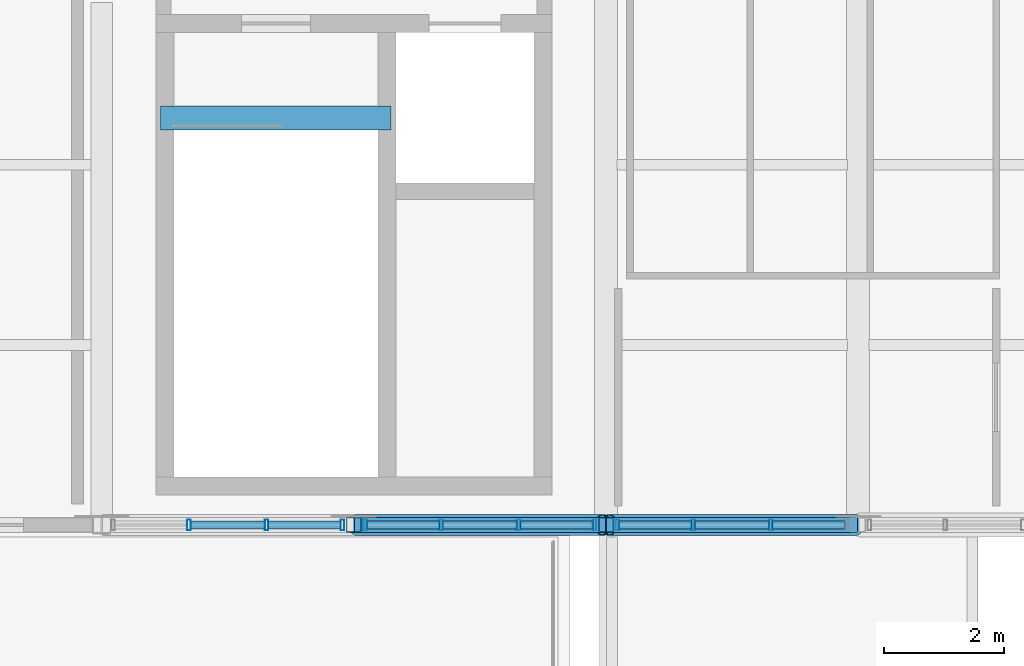
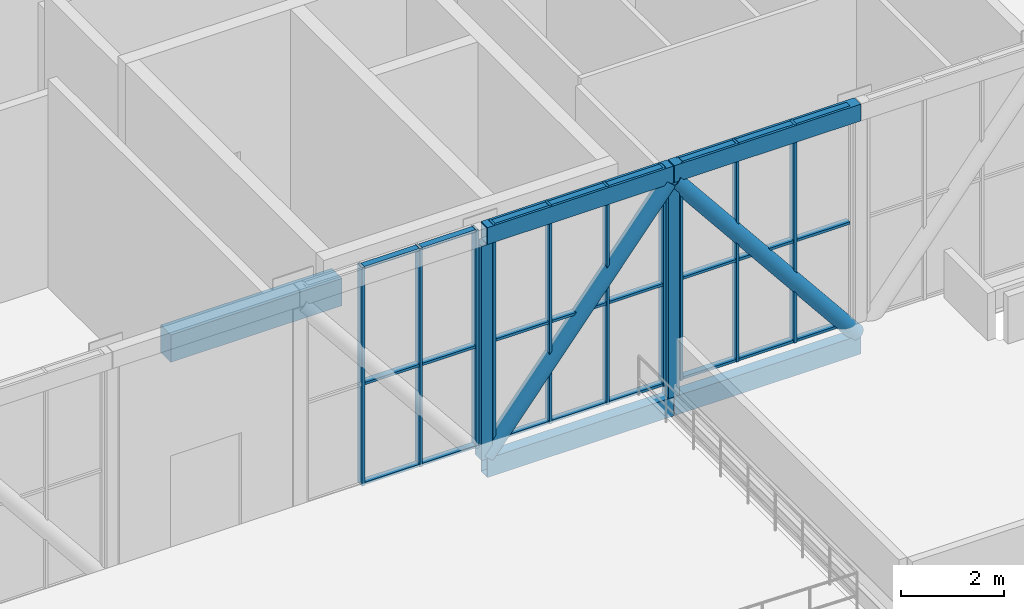
# One storey, part 29 of 58: 42 members, 1 beam, 3 elements without a shape of their own.
"""IFC4 building model written with IfcOpenShell, lengths in metres."""

from ifc_helpers import new_model, si_unit, direction, frame, origin, origin_2d, place, context, subcontext, project, spatial, rectangle, hollow_rectangle, hollow_circle, extrude, material, material_profile, profile_set, type_object, element, aggregate, save


model = new_model("IFC4")

# Units and contexts
model_context = context("Model", 3, precision=1e-05, world=origin(), true_north=direction((0.0, 1.0)))
body_context = subcontext(model_context, "Body", "Model", "MODEL_VIEW")
ifc_project = project(units=[si_unit("LENGTHUNIT", "METRE"), si_unit("AREAUNIT", "SQUARE_METRE"), si_unit("VOLUMEUNIT", "CUBIC_METRE"), si_unit("PLANEANGLEUNIT", "RADIAN"), si_unit("MASSUNIT", "GRAM", prefix="KILO")], contexts=[model_context])

# Site, building, storey
site_placement = place(None, origin())
site = spatial("IfcSite", under=ifc_project, at=site_placement, CompositionType="ELEMENT")
building_placement = place(site_placement, origin())
building = spatial("IfcBuilding", under=site, at=building_placement, Name="Khurvash Pelagic Aquarium", CompositionType="ELEMENT")
storey_placement = place(building_placement, frame((0.0, 0.0, 24.60009765625)))
storey = spatial("IfcBuildingStorey", under=building, at=storey_placement, Name="L05", CompositionType="ELEMENT", Elevation=24.60009765625)

# Beam
ifc_material_1 = material(Name="Concrete C35/45", Category="concrete")
ifc_material_profile_1 = material_profile(ifc_material_1, rectangle(XDim=0.39990234375, YDim=0.64990234375, at=origin_2d()), Name="RC400X650")
ifc_profile_set_1 = profile_set([ifc_material_profile_1], Name="Concrete C35/45")
beam_type = type_object("IfcBeamType", Name="BM-05", PredefinedType="BEAM", material=ifc_profile_set_1)
beam_placement = place(storey_placement, frame((93.3798828125, 18.429931640625, -0.625), z_axis=(1.0, 0.0, 0.0), x_axis=(0.0, 1.0, 0.0)))
element("IfcBeam", 1, at=beam_placement, inside=storey, type_object=beam_type, Name="L05 Stair ST-03 Header Trimmer Beam BM-05", PredefinedType="BEAM", context=body_context, shape_type="SweptSolid", body=[
    extrude(rectangle(XDim=0.39990234375, YDim=0.64990234375, at=origin_2d()), origin(), (0.0, 0.0, 1.0), 3.840087890625),
])

# Curtain wall, members
ifc_material_2 = material(Name="Anodised aluminium and low-E laminated glass", Category="aluminium")
curtain_wall_type = type_object("IfcCurtainWallType", Name="CW-01", PredefinedType="USERDEFINED", material=ifc_material_2)
curtain_wall_1_placement = place(storey_placement, origin())
curtain_wall_1 = element("IfcCurtainWall", 2, at=curtain_wall_1_placement, inside=storey, type_object=curtain_wall_type, Name="L05 South Sky-Bar Unitised Curtain Wall CW-01 P20", ObjectType="UNITISED CURTAIN WALL", PredefinedType="USERDEFINED")
ifc_material_3 = material(Name="Extruded aluminium AW-6063-T6", Category="aluminium")
ifc_material_profile_2 = material_profile(ifc_material_3, hollow_rectangle(XDim=0.06005859375, YDim=0.179931640625, WallThickness=0.00390625, at=origin_2d()), Name="CWM60X180X4")
ifc_profile_set_2 = profile_set([ifc_material_profile_2], Name="Extruded aluminium AW-6063-T6")
member_type_1 = type_object("IfcMemberType", Name="CM-01", PredefinedType="MULLION", material=ifc_profile_set_2)
member_1_placement = place(storey_placement, frame((93.853271484375, 11.64990234375, 0.0), z_axis=(0.0, 0.0, 1.0), x_axis=(1.0, 0.0, 0.0)))
member_1 = element("IfcMember", 3, at=member_1_placement, type_object=member_type_1, Name="CW-01 mullion 2", PredefinedType="MULLION", context=body_context, shape_type="SweptSolid", body=[
    extrude(hollow_rectangle(XDim=0.06005859375, YDim=0.179931640625, WallThickness=0.00390625, at=origin_2d()), origin(), (0.0, 0.0, 1.0), 5.179931640625),
])
member_2_placement = place(storey_placement, frame((95.146728515625, 11.64990234375, 0.0), z_axis=(0.0, 0.0, 1.0), x_axis=(1.0, 0.0, 0.0)))
member_2 = element("IfcMember", 4, at=member_2_placement, type_object=member_type_1, Name="CW-01 mullion 3", PredefinedType="MULLION", context=body_context, shape_type="SweptSolid", body=[
    extrude(hollow_rectangle(XDim=0.06005859375, YDim=0.179931640625, WallThickness=0.00390625, at=origin_2d()), origin(), (0.0, 0.0, 1.0), 5.179931640625),
])
member_3_placement = place(storey_placement, frame((96.409912109375, 11.64990234375, 0.0), z_axis=(0.0, 0.0, 1.0), x_axis=(1.0, 0.0, 0.0)))
member_3 = element("IfcMember", 5, at=member_3_placement, type_object=member_type_1, Name="CW-01 mullion 4", PredefinedType="MULLION", context=body_context, shape_type="SweptSolid", body=[
    extrude(hollow_rectangle(XDim=0.06005859375, YDim=0.179931640625, WallThickness=0.00390625, at=origin_2d()), origin(), (0.0, 0.0, 1.0), 5.179931640625),
])

curtain_wall_2_placement = place(storey_placement, origin())
curtain_wall_2 = element("IfcCurtainWall", 6, at=curtain_wall_2_placement, inside=storey, type_object=curtain_wall_type, Name="L05 South Sky-Bar Unitised Curtain Wall CW-01 P21", ObjectType="UNITISED CURTAIN WALL", PredefinedType="USERDEFINED")
member_4_placement = place(storey_placement, frame((96.7900390625, 11.64990234375, 0.0), z_axis=(0.0, 0.0, 1.0), x_axis=(1.0, 0.0, 0.0)))
member_4 = element("IfcMember", 7, at=member_4_placement, type_object=member_type_1, Name="CW-01 mullion 1", PredefinedType="MULLION", context=body_context, shape_type="SweptSolid", body=[
    extrude(hollow_rectangle(XDim=0.06005859375, YDim=0.179931640625, WallThickness=0.00390625, at=origin_2d()), origin(), (0.0, 0.0, 1.0), 5.179931640625),
])
member_5_placement = place(storey_placement, frame((98.05322265625, 11.64990234375, 0.0), z_axis=(0.0, 0.0, 1.0), x_axis=(1.0, 0.0, 0.0)))
member_5 = element("IfcMember", 8, at=member_5_placement, type_object=member_type_1, Name="CW-01 mullion 2", PredefinedType="MULLION", context=body_context, shape_type="SweptSolid", body=[
    extrude(hollow_rectangle(XDim=0.06005859375, YDim=0.179931640625, WallThickness=0.00390625, at=origin_2d()), origin(), (0.0, 0.0, 1.0), 5.179931640625),
])
member_6_placement = place(storey_placement, frame((99.3466796875, 11.64990234375, 0.0), z_axis=(0.0, 0.0, 1.0), x_axis=(1.0, 0.0, 0.0)))
member_6 = element("IfcMember", 9, at=member_6_placement, type_object=member_type_1, Name="CW-01 mullion 3", PredefinedType="MULLION", context=body_context, shape_type="SweptSolid", body=[
    extrude(hollow_rectangle(XDim=0.06005859375, YDim=0.179931640625, WallThickness=0.00390625, at=origin_2d()), origin(), (0.0, 0.0, 1.0), 5.179931640625),
])
member_7_placement = place(storey_placement, frame((100.610107421875, 11.64990234375, 0.0), z_axis=(0.0, 0.0, 1.0), x_axis=(1.0, 0.0, 0.0)))
member_7 = element("IfcMember", 10, at=member_7_placement, type_object=member_type_1, Name="CW-01 mullion 4", PredefinedType="MULLION", context=body_context, shape_type="SweptSolid", body=[
    extrude(hollow_rectangle(XDim=0.06005859375, YDim=0.179931640625, WallThickness=0.00390625, at=origin_2d()), origin(), (0.0, 0.0, 1.0), 5.179931640625),
])

curtain_wall_3_placement = place(storey_placement, origin())
curtain_wall_3 = element("IfcCurtainWall", 11, at=curtain_wall_3_placement, inside=storey, type_object=curtain_wall_type, Name="L05 South Sky-Bar Unitised Curtain Wall CW-01 P22", ObjectType="UNITISED CURTAIN WALL", PredefinedType="USERDEFINED")
member_8_placement = place(storey_placement, frame((100.989990234375, 11.64990234375, 0.0), z_axis=(0.0, 0.0, 1.0), x_axis=(1.0, 0.0, 0.0)))
member_8 = element("IfcMember", 12, at=member_8_placement, type_object=member_type_1, Name="CW-01 mullion 1", PredefinedType="MULLION", context=body_context, shape_type="SweptSolid", body=[
    extrude(hollow_rectangle(XDim=0.06005859375, YDim=0.179931640625, WallThickness=0.00390625, at=origin_2d()), origin(), (0.0, 0.0, 1.0), 5.179931640625),
])
member_9_placement = place(storey_placement, frame((102.25341796875, 11.64990234375, 0.0), z_axis=(0.0, 0.0, 1.0), x_axis=(1.0, 0.0, 0.0)))
member_9 = element("IfcMember", 13, at=member_9_placement, type_object=member_type_1, Name="CW-01 mullion 2", PredefinedType="MULLION", context=body_context, shape_type="SweptSolid", body=[
    extrude(hollow_rectangle(XDim=0.06005859375, YDim=0.179931640625, WallThickness=0.00390625, at=origin_2d()), origin(), (0.0, 0.0, 1.0), 5.179931640625),
])
member_10_placement = place(storey_placement, frame((103.546630859375, 11.64990234375, 0.0), z_axis=(0.0, 0.0, 1.0), x_axis=(1.0, 0.0, 0.0)))
member_10 = element("IfcMember", 14, at=member_10_placement, type_object=member_type_1, Name="CW-01 mullion 3", PredefinedType="MULLION", context=body_context, shape_type="SweptSolid", body=[
    extrude(hollow_rectangle(XDim=0.06005859375, YDim=0.179931640625, WallThickness=0.00390625, at=origin_2d()), origin(), (0.0, 0.0, 1.0), 5.179931640625),
])

# Member
ifc_material_profile_3 = material_profile(ifc_material_3, hollow_rectangle(XDim=0.139892578125, YDim=0.06005859375, WallThickness=0.00390625, at=origin_2d()), Name="CWT140X60X4")
ifc_profile_set_3 = profile_set([ifc_material_profile_3], Name="Extruded aluminium AW-6063-T6")
member_type_2 = type_object("IfcMemberType", Name="CT-01", PredefinedType="USERDEFINED", material=ifc_profile_set_3)
member_11_placement = place(storey_placement, frame((93.88330078125, 11.64990234375, 0.02978515625), z_axis=(1.0, 0.0, 0.0), x_axis=(0.0, 1.0, 0.0)))
member_11 = element("IfcMember", 15, at=member_11_placement, type_object=member_type_2, Name="CW-01 transom 2.1", ObjectType="TRANSOM", PredefinedType="USERDEFINED", context=body_context, shape_type="SweptSolid", body=[
    extrude(hollow_rectangle(XDim=0.139892578125, YDim=0.06005859375, WallThickness=0.00390625, at=origin_2d()), origin(), (0.0, 0.0, 1.0), 1.2333984375),
])

member_12_placement = place(storey_placement, frame((93.88330078125, 11.64990234375, 2.39990234375), z_axis=(1.0, 0.0, 0.0), x_axis=(0.0, 1.0, 0.0)))
member_12 = element("IfcMember", 16, at=member_12_placement, type_object=member_type_2, Name="CW-01 transom 2.2", ObjectType="TRANSOM", PredefinedType="USERDEFINED", context=body_context, shape_type="SweptSolid", body=[
    extrude(hollow_rectangle(XDim=0.139892578125, YDim=0.06005859375, WallThickness=0.00390625, at=origin_2d()), origin(), (0.0, 0.0, 1.0), 1.2333984375),
])

member_13_placement = place(storey_placement, frame((93.88330078125, 11.64990234375, 5.14990234375), z_axis=(1.0, 0.0, 0.0), x_axis=(0.0, 1.0, 0.0)))
member_13 = element("IfcMember", 17, at=member_13_placement, type_object=member_type_2, Name="CW-01 transom 2.3", ObjectType="TRANSOM", PredefinedType="USERDEFINED", context=body_context, shape_type="SweptSolid", body=[
    extrude(hollow_rectangle(XDim=0.139892578125, YDim=0.06005859375, WallThickness=0.00390625, at=origin_2d()), origin(), (0.0, 0.0, 1.0), 1.2333984375),
])

member_14_placement = place(storey_placement, frame((95.1767578125, 11.64990234375, 0.02978515625), z_axis=(1.0, 0.0, 0.0), x_axis=(0.0, 1.0, 0.0)))
member_14 = element("IfcMember", 18, at=member_14_placement, type_object=member_type_2, Name="CW-01 transom 3.1", ObjectType="TRANSOM", PredefinedType="USERDEFINED", context=body_context, shape_type="SweptSolid", body=[
    extrude(hollow_rectangle(XDim=0.139892578125, YDim=0.06005859375, WallThickness=0.00390625, at=origin_2d()), origin(), (0.0, 0.0, 1.0), 1.203125),
])

member_15_placement = place(storey_placement, frame((95.1767578125, 11.64990234375, 2.39990234375), z_axis=(1.0, 0.0, 0.0), x_axis=(0.0, 1.0, 0.0)))
member_15 = element("IfcMember", 19, at=member_15_placement, type_object=member_type_2, Name="CW-01 transom 3.2", ObjectType="TRANSOM", PredefinedType="USERDEFINED", context=body_context, shape_type="SweptSolid", body=[
    extrude(hollow_rectangle(XDim=0.139892578125, YDim=0.06005859375, WallThickness=0.00390625, at=origin_2d()), origin(), (0.0, 0.0, 1.0), 1.203125),
])

member_16_placement = place(storey_placement, frame((95.1767578125, 11.64990234375, 5.14990234375), z_axis=(1.0, 0.0, 0.0), x_axis=(0.0, 1.0, 0.0)))
member_16 = element("IfcMember", 20, at=member_16_placement, type_object=member_type_2, Name="CW-01 transom 3.3", ObjectType="TRANSOM", PredefinedType="USERDEFINED", context=body_context, shape_type="SweptSolid", body=[
    extrude(hollow_rectangle(XDim=0.139892578125, YDim=0.06005859375, WallThickness=0.00390625, at=origin_2d()), origin(), (0.0, 0.0, 1.0), 1.203125),
])

aggregate(curtain_wall_1, [member_1, member_2, member_3, member_11, member_12, member_13, member_14, member_15, member_16])

member_17_placement = place(storey_placement, frame((96.820068359375, 11.64990234375, 0.02978515625), z_axis=(1.0, 0.0, 0.0), x_axis=(0.0, 1.0, 0.0)))
member_17 = element("IfcMember", 21, at=member_17_placement, type_object=member_type_2, Name="CW-01 transom 1.1", ObjectType="TRANSOM", PredefinedType="USERDEFINED", context=body_context, shape_type="SweptSolid", body=[
    extrude(hollow_rectangle(XDim=0.139892578125, YDim=0.06005859375, WallThickness=0.00390625, at=origin_2d()), origin(), (0.0, 0.0, 1.0), 1.203369140625),
])

member_18_placement = place(storey_placement, frame((96.820068359375, 11.64990234375, 2.39990234375), z_axis=(1.0, 0.0, 0.0), x_axis=(0.0, 1.0, 0.0)))
member_18 = element("IfcMember", 22, at=member_18_placement, type_object=member_type_2, Name="CW-01 transom 1.2", ObjectType="TRANSOM", PredefinedType="USERDEFINED", context=body_context, shape_type="SweptSolid", body=[
    extrude(hollow_rectangle(XDim=0.139892578125, YDim=0.06005859375, WallThickness=0.00390625, at=origin_2d()), origin(), (0.0, 0.0, 1.0), 1.203369140625),
])

member_19_placement = place(storey_placement, frame((96.820068359375, 11.64990234375, 5.14990234375), z_axis=(1.0, 0.0, 0.0), x_axis=(0.0, 1.0, 0.0)))
member_19 = element("IfcMember", 23, at=member_19_placement, type_object=member_type_2, Name="CW-01 transom 1.3", ObjectType="TRANSOM", PredefinedType="USERDEFINED", context=body_context, shape_type="SweptSolid", body=[
    extrude(hollow_rectangle(XDim=0.139892578125, YDim=0.06005859375, WallThickness=0.00390625, at=origin_2d()), origin(), (0.0, 0.0, 1.0), 1.203369140625),
])

member_20_placement = place(storey_placement, frame((98.083251953125, 11.64990234375, 0.02978515625), z_axis=(1.0, 0.0, 0.0), x_axis=(0.0, 1.0, 0.0)))
member_20 = element("IfcMember", 24, at=member_20_placement, type_object=member_type_2, Name="CW-01 transom 2.1", ObjectType="TRANSOM", PredefinedType="USERDEFINED", context=body_context, shape_type="SweptSolid", body=[
    extrude(hollow_rectangle(XDim=0.139892578125, YDim=0.06005859375, WallThickness=0.00390625, at=origin_2d()), origin(), (0.0, 0.0, 1.0), 1.2333984375),
])

member_21_placement = place(storey_placement, frame((98.083251953125, 11.64990234375, 2.39990234375), z_axis=(1.0, 0.0, 0.0), x_axis=(0.0, 1.0, 0.0)))
member_21 = element("IfcMember", 25, at=member_21_placement, type_object=member_type_2, Name="CW-01 transom 2.2", ObjectType="TRANSOM", PredefinedType="USERDEFINED", context=body_context, shape_type="SweptSolid", body=[
    extrude(hollow_rectangle(XDim=0.139892578125, YDim=0.06005859375, WallThickness=0.00390625, at=origin_2d()), origin(), (0.0, 0.0, 1.0), 1.2333984375),
])

member_22_placement = place(storey_placement, frame((98.083251953125, 11.64990234375, 5.14990234375), z_axis=(1.0, 0.0, 0.0), x_axis=(0.0, 1.0, 0.0)))
member_22 = element("IfcMember", 26, at=member_22_placement, type_object=member_type_2, Name="CW-01 transom 2.3", ObjectType="TRANSOM", PredefinedType="USERDEFINED", context=body_context, shape_type="SweptSolid", body=[
    extrude(hollow_rectangle(XDim=0.139892578125, YDim=0.06005859375, WallThickness=0.00390625, at=origin_2d()), origin(), (0.0, 0.0, 1.0), 1.2333984375),
])

member_23_placement = place(storey_placement, frame((99.376708984375, 11.64990234375, 0.02978515625), z_axis=(1.0, 0.0, 0.0), x_axis=(0.0, 1.0, 0.0)))
member_23 = element("IfcMember", 27, at=member_23_placement, type_object=member_type_2, Name="CW-01 transom 3.1", ObjectType="TRANSOM", PredefinedType="USERDEFINED", context=body_context, shape_type="SweptSolid", body=[
    extrude(hollow_rectangle(XDim=0.139892578125, YDim=0.06005859375, WallThickness=0.00390625, at=origin_2d()), origin(), (0.0, 0.0, 1.0), 1.203369140625),
])

member_24_placement = place(storey_placement, frame((99.376708984375, 11.64990234375, 2.39990234375), z_axis=(1.0, 0.0, 0.0), x_axis=(0.0, 1.0, 0.0)))
member_24 = element("IfcMember", 28, at=member_24_placement, type_object=member_type_2, Name="CW-01 transom 3.2", ObjectType="TRANSOM", PredefinedType="USERDEFINED", context=body_context, shape_type="SweptSolid", body=[
    extrude(hollow_rectangle(XDim=0.139892578125, YDim=0.06005859375, WallThickness=0.00390625, at=origin_2d()), origin(), (0.0, 0.0, 1.0), 1.203369140625),
])

member_25_placement = place(storey_placement, frame((99.376708984375, 11.64990234375, 5.14990234375), z_axis=(1.0, 0.0, 0.0), x_axis=(0.0, 1.0, 0.0)))
member_25 = element("IfcMember", 29, at=member_25_placement, type_object=member_type_2, Name="CW-01 transom 3.3", ObjectType="TRANSOM", PredefinedType="USERDEFINED", context=body_context, shape_type="SweptSolid", body=[
    extrude(hollow_rectangle(XDim=0.139892578125, YDim=0.06005859375, WallThickness=0.00390625, at=origin_2d()), origin(), (0.0, 0.0, 1.0), 1.203369140625),
])

aggregate(curtain_wall_2, [member_4, member_5, member_6, member_7, member_17, member_18, member_19, member_20, member_21, member_22, member_23, member_24, member_25])

member_26_placement = place(storey_placement, frame((101.02001953125, 11.64990234375, 0.02978515625), z_axis=(1.0, 0.0, 0.0), x_axis=(0.0, 1.0, 0.0)))
member_26 = element("IfcMember", 30, at=member_26_placement, type_object=member_type_2, Name="CW-01 transom 1.1", ObjectType="TRANSOM", PredefinedType="USERDEFINED", context=body_context, shape_type="SweptSolid", body=[
    extrude(hollow_rectangle(XDim=0.139892578125, YDim=0.06005859375, WallThickness=0.00390625, at=origin_2d()), origin(), (0.0, 0.0, 1.0), 1.203369140625),
])

member_27_placement = place(storey_placement, frame((101.02001953125, 11.64990234375, 2.39990234375), z_axis=(1.0, 0.0, 0.0), x_axis=(0.0, 1.0, 0.0)))
member_27 = element("IfcMember", 31, at=member_27_placement, type_object=member_type_2, Name="CW-01 transom 1.2", ObjectType="TRANSOM", PredefinedType="USERDEFINED", context=body_context, shape_type="SweptSolid", body=[
    extrude(hollow_rectangle(XDim=0.139892578125, YDim=0.06005859375, WallThickness=0.00390625, at=origin_2d()), origin(), (0.0, 0.0, 1.0), 1.203369140625),
])

member_28_placement = place(storey_placement, frame((101.02001953125, 11.64990234375, 5.14990234375), z_axis=(1.0, 0.0, 0.0), x_axis=(0.0, 1.0, 0.0)))
member_28 = element("IfcMember", 32, at=member_28_placement, type_object=member_type_2, Name="CW-01 transom 1.3", ObjectType="TRANSOM", PredefinedType="USERDEFINED", context=body_context, shape_type="SweptSolid", body=[
    extrude(hollow_rectangle(XDim=0.139892578125, YDim=0.06005859375, WallThickness=0.00390625, at=origin_2d()), origin(), (0.0, 0.0, 1.0), 1.203369140625),
])

member_29_placement = place(storey_placement, frame((102.283447265625, 11.64990234375, 0.02978515625), z_axis=(1.0, 0.0, 0.0), x_axis=(0.0, 1.0, 0.0)))
member_29 = element("IfcMember", 33, at=member_29_placement, type_object=member_type_2, Name="CW-01 transom 2.1", ObjectType="TRANSOM", PredefinedType="USERDEFINED", context=body_context, shape_type="SweptSolid", body=[
    extrude(hollow_rectangle(XDim=0.139892578125, YDim=0.06005859375, WallThickness=0.00390625, at=origin_2d()), origin(), (0.0, 0.0, 1.0), 1.233154296875),
])

member_30_placement = place(storey_placement, frame((102.283447265625, 11.64990234375, 2.39990234375), z_axis=(1.0, 0.0, 0.0), x_axis=(0.0, 1.0, 0.0)))
member_30 = element("IfcMember", 34, at=member_30_placement, type_object=member_type_2, Name="CW-01 transom 2.2", ObjectType="TRANSOM", PredefinedType="USERDEFINED", context=body_context, shape_type="SweptSolid", body=[
    extrude(hollow_rectangle(XDim=0.139892578125, YDim=0.06005859375, WallThickness=0.00390625, at=origin_2d()), origin(), (0.0, 0.0, 1.0), 1.233154296875),
])

member_31_placement = place(storey_placement, frame((102.283447265625, 11.64990234375, 5.14990234375), z_axis=(1.0, 0.0, 0.0), x_axis=(0.0, 1.0, 0.0)))
member_31 = element("IfcMember", 35, at=member_31_placement, type_object=member_type_2, Name="CW-01 transom 2.3", ObjectType="TRANSOM", PredefinedType="USERDEFINED", context=body_context, shape_type="SweptSolid", body=[
    extrude(hollow_rectangle(XDim=0.139892578125, YDim=0.06005859375, WallThickness=0.00390625, at=origin_2d()), origin(), (0.0, 0.0, 1.0), 1.233154296875),
])

member_32_placement = place(storey_placement, frame((103.57666015625, 11.64990234375, 0.02978515625), z_axis=(1.0, 0.0, 0.0), x_axis=(0.0, 1.0, 0.0)))
member_32 = element("IfcMember", 36, at=member_32_placement, type_object=member_type_2, Name="CW-01 transom 3.1", ObjectType="TRANSOM", PredefinedType="USERDEFINED", context=body_context, shape_type="SweptSolid", body=[
    extrude(hollow_rectangle(XDim=0.139892578125, YDim=0.06005859375, WallThickness=0.00390625, at=origin_2d()), origin(), (0.0, 0.0, 1.0), 1.203369140625),
])

member_33_placement = place(storey_placement, frame((103.57666015625, 11.64990234375, 2.39990234375), z_axis=(1.0, 0.0, 0.0), x_axis=(0.0, 1.0, 0.0)))
member_33 = element("IfcMember", 37, at=member_33_placement, type_object=member_type_2, Name="CW-01 transom 3.2", ObjectType="TRANSOM", PredefinedType="USERDEFINED", context=body_context, shape_type="SweptSolid", body=[
    extrude(hollow_rectangle(XDim=0.139892578125, YDim=0.06005859375, WallThickness=0.00390625, at=origin_2d()), origin(), (0.0, 0.0, 1.0), 1.203369140625),
])

member_34_placement = place(storey_placement, frame((103.57666015625, 11.64990234375, 5.14990234375), z_axis=(1.0, 0.0, 0.0), x_axis=(0.0, 1.0, 0.0)))
member_34 = element("IfcMember", 38, at=member_34_placement, type_object=member_type_2, Name="CW-01 transom 3.3", ObjectType="TRANSOM", PredefinedType="USERDEFINED", context=body_context, shape_type="SweptSolid", body=[
    extrude(hollow_rectangle(XDim=0.139892578125, YDim=0.06005859375, WallThickness=0.00390625, at=origin_2d()), origin(), (0.0, 0.0, 1.0), 1.203369140625),
])

aggregate(curtain_wall_3, [member_8, member_9, member_10, member_26, member_27, member_28, member_29, member_30, member_31, member_32, member_33, member_34])

# Members
ifc_material_4 = material(Name="Steel S355J2", Category="steel")
ifc_material_profile_4 = material_profile(ifc_material_4, hollow_rectangle(XDim=0.25, YDim=0.449951171875, WallThickness=0.02001953125, at=origin_2d()), Name="RHS450X250X20")
ifc_profile_set_4 = profile_set([ifc_material_profile_4], Name="Steel S355J2")
member_type_3 = type_object("IfcMemberType", Name="TC-01", PredefinedType="CHORD", material=ifc_profile_set_4)
for number, where, z_axis, x_axis, name in (
    (39, (96.610107421875, 11.64990234375, -0.525146484375), (1.0, 0.0, 0.0), (0.0, 1.0, 0.0), "L05 South Sky-Bar Warren Truss Bottom Chord TC-01 P21"),
    (40, (100.81005859375, 11.64990234375, -0.525146484375), (1.0, 0.0, 0.0), (0.0, 1.0, 0.0), "L05 South Sky-Bar Warren Truss Bottom Chord TC-01 P22"),
):
    element("IfcMember", number, at=place(storey_placement, frame(where, z_axis=z_axis, x_axis=x_axis)), inside=storey, type_object=member_type_3, Name=name, PredefinedType="CHORD", context=body_context, shape_type="SweptSolid", body=[
        extrude(hollow_rectangle(XDim=0.25, YDim=0.449951171875, WallThickness=0.02001953125, at=origin_2d()), origin(), (0.0, 0.0, 1.0), 4.179931640625),
    ])
ifc_material_profile_5 = material_profile(ifc_material_4, hollow_rectangle(XDim=0.25, YDim=0.39990234375, WallThickness=0.01611328125, at=origin_2d()), Name="RHS400X250X16")
ifc_profile_set_5 = profile_set([ifc_material_profile_5], Name="Steel S355J2")
member_type_4 = type_object("IfcMemberType", Name="TC-02", PredefinedType="CHORD", material=ifc_profile_set_5)
for number, where, z_axis, x_axis, name in (
    (41, (96.610107421875, 11.64990234375, 4.97998046875), (1.0, 0.0, 0.0), (0.0, 1.0, 0.0), "L05 South Sky-Bar Warren Truss Top Chord TC-02 P21"),
    (42, (100.81005859375, 11.64990234375, 4.97998046875), (1.0, 0.0, 0.0), (0.0, 1.0, 0.0), "L05 South Sky-Bar Warren Truss Top Chord TC-02 P22"),
):
    element("IfcMember", number, at=place(storey_placement, frame(where, z_axis=z_axis, x_axis=x_axis)), inside=storey, type_object=member_type_4, Name=name, PredefinedType="CHORD", context=body_context, shape_type="SweptSolid", body=[
        extrude(hollow_rectangle(XDim=0.25, YDim=0.39990234375, WallThickness=0.01611328125, at=origin_2d()), origin(), (0.0, 0.0, 1.0), 4.179931640625),
    ])
ifc_material_profile_6 = material_profile(ifc_material_4, hollow_circle(Radius=0.177734375, WallThickness=0.01416015625, at=origin_2d()), Name="CHS355X14")
ifc_profile_set_6 = profile_set([ifc_material_profile_6], Name="Steel S355J2")
member_type_5 = type_object("IfcMemberType", Name="TD-02", PredefinedType="BRACE", material=ifc_profile_set_6)
member_35_placement = place(storey_placement, frame((96.64990234375, 11.64990234375, -0.300048828125), z_axis=(0.628073304864, 0.0, 0.778154177343), x_axis=(0.0, 1.0, 0.0)))
element("IfcMember", 43, at=member_35_placement, inside=storey, type_object=member_type_5, Name="L05 South Sky-Bar Warren Truss Diagonal TD-02 P21", PredefinedType="BRACE", context=body_context, shape_type="SweptSolid", body=[
    extrude(hollow_circle(Radius=0.177734375, WallThickness=0.01416015625, at=origin_2d()), origin(), (0.0, 0.0, 1.0), 6.528076171875),
])
member_36_placement = place(storey_placement, frame((100.85009765625, 11.64990234375, 4.77978515625), z_axis=(0.628050658275, 0.0, -0.778172455591), x_axis=(0.0, 1.0, 0.0)))
element("IfcMember", 44, at=member_36_placement, inside=storey, type_object=member_type_5, Name="L05 South Sky-Bar Warren Truss Diagonal TD-02 P22", PredefinedType="BRACE", context=body_context, shape_type="SweptSolid", body=[
    extrude(hollow_circle(Radius=0.177734375, WallThickness=0.01416015625, at=origin_2d()), origin(), (0.0, 0.0, 1.0), 6.52783203125),
])
ifc_material_profile_7 = material_profile(ifc_material_4, hollow_rectangle(XDim=0.25, YDim=0.25, WallThickness=0.012451171875, at=origin_2d()), Name="SHS250X250X12")
ifc_profile_set_7 = profile_set([ifc_material_profile_7], Name="Steel S355J2")
member_type_6 = type_object("IfcMemberType", Name="TV-02", PredefinedType="POST", material=ifc_profile_set_7)
for number, where, z_axis, x_axis, name in (
    (45, (96.60009765625, 11.64990234375, -0.300048828125), (0.0, 0.0, 1.0), (1.0, 0.0, 0.0), "L05 South Sky-Bar Truss Post TV-02 N21"),
    (46, (100.800048828125, 11.64990234375, -0.300048828125), (0.0, 0.0, 1.0), (1.0, 0.0, 0.0), "L05 South Sky-Bar Truss Post TV-02 N22"),
):
    element("IfcMember", number, at=place(storey_placement, frame(where, z_axis=z_axis, x_axis=x_axis)), inside=storey, type_object=member_type_6, Name=name, PredefinedType="POST", context=body_context, shape_type="SweptSolid", body=[
        extrude(hollow_rectangle(XDim=0.25, YDim=0.25, WallThickness=0.012451171875, at=origin_2d()), origin(), (0.0, 0.0, 1.0), 5.079833984375),
    ])

save(model, "model.ifc")
